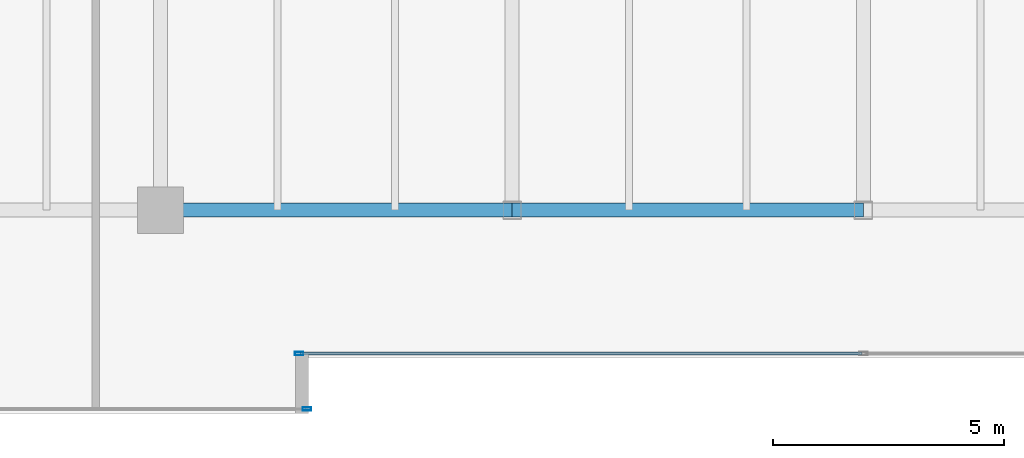
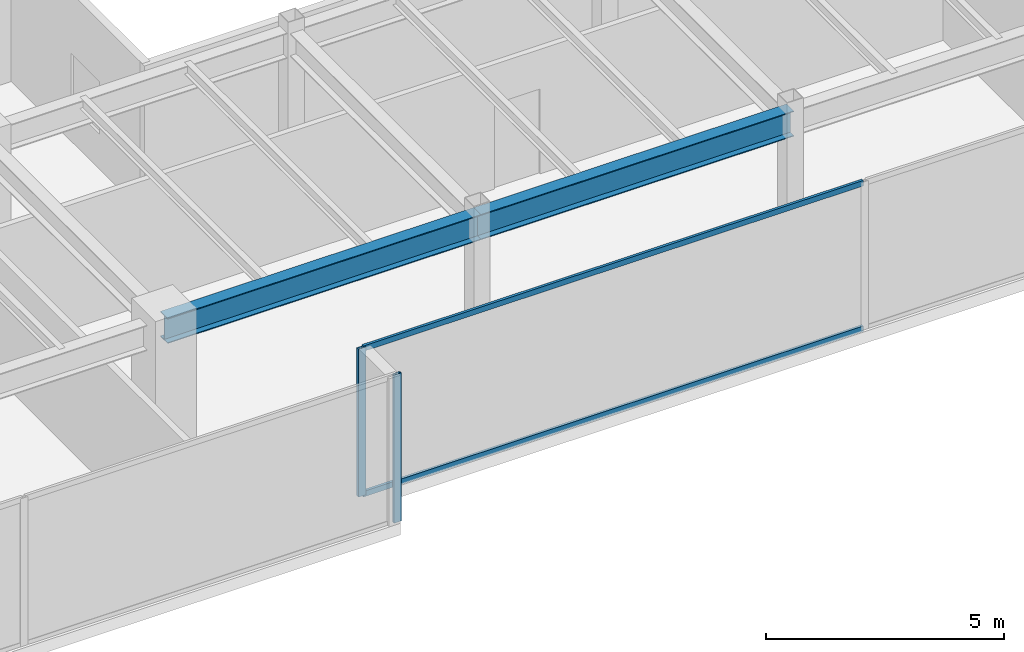
# One storey, part 7 of 33: 4 members, 2 beams, 2 elements without a shape of their own.
"""IFC4 building model written with IfcOpenShell, lengths in metres."""

import ifcopenshell
import ifcopenshell.guid

model = None  # the IFC model being written
_history = None  # IfcOwnerHistory: only IFC2X3 demands one
_inside = {}  # id of a spatial element -> (the spatial element, [elements in it])
_under = {}  # id of a project, library or spatial element -> (it, [spatial elements below it])
_declared = {}  # id of a project -> (the project, [libraries it declares])
_typed = {}  # id of a type object -> (the type object, [elements of that type])
_made_of = {}  # id of a material, layer set ... -> (it, [elements and type objects made of it])


def new_model(schema):
    """Start an empty IFC model of exactly this schema.

    Asked for "IFC4X3", IfcOpenShell would pick the latest addendum, in which some entities
    have other attributes; the version numbers below select the first issue.
    IFC2X3 requires an IfcOwnerHistory on every rooted entity: one is made here for all.
    """
    global model, _history
    if schema == "IFC4X3":
        model = ifcopenshell.file(schema_version=(4, 3, 0, 0))
    else:
        model = ifcopenshell.file(schema=schema)
    _inside.clear()
    _under.clear()
    _declared.clear()
    _typed.clear()
    _made_of.clear()
    _history = None
    if model.schema == "IFC2X3":
        org = make("IfcOrganization", Name="unknown")
        user = make(
            "IfcPersonAndOrganization",
            ThePerson=make("IfcPerson", FamilyName="unknown"),
            TheOrganization=org,
        )
        app = make(
            "IfcApplication",
            ApplicationDeveloper=org,
            Version="unknown",
            ApplicationFullName="unknown",
            ApplicationIdentifier="unknown",
        )
        _history = make(
            "IfcOwnerHistory",
            OwningUser=user,
            OwningApplication=app,
            ChangeAction="ADDED",
            CreationDate=0,
        )
    return model


def make(cls, **values):
    """One entity of the class cls with the attributes given. An attribute that is None is left unset."""
    return model.create_entity(
        cls, **{name: value for name, value in values.items() if value is not None}
    )


def rooted(cls, **values):
    """An entity with a GlobalId (a new one), such as an element, a storey or a relation."""
    return make(cls, GlobalId=ifcopenshell.guid.new(), OwnerHistory=_history, **values)


def si_unit(unit_type, name, prefix=None):
    """IfcSIUnit, for example si_unit("LENGTHUNIT", "METRE", prefix="MILLI")."""
    return make("IfcSIUnit", UnitType=unit_type, Prefix=prefix, Name=name)


def assignment(units):
    """IfcUnitAssignment: the units of a project."""
    return None if units is None else make("IfcUnitAssignment", Units=units)


def point(xyz):
    """IfcCartesianPoint."""
    return None if xyz is None else make("IfcCartesianPoint", Coordinates=xyz)


def direction(xyz):
    """IfcDirection."""
    return None if xyz is None else make("IfcDirection", DirectionRatios=xyz)


def frame(location, z_axis=None, x_axis=None):
    """IfcAxis2Placement3D, a coordinate frame: its origin and axes. An axis left out is left unset."""
    return make(
        "IfcAxis2Placement3D",
        Location=point(location),
        Axis=direction(z_axis),
        RefDirection=direction(x_axis),
    )


def frame_2d(location, x_axis=None):
    """IfcAxis2Placement2D, a coordinate frame in the plane: its origin and x axis."""
    return make(
        "IfcAxis2Placement2D", Location=point(location), RefDirection=direction(x_axis)
    )


def origin():
    """The frame at (0, 0, 0) with its axes left unset."""
    return frame((0.0, 0.0, 0.0))


def origin_2d():
    """The frame at (0, 0) in the plane with its x axis left unset."""
    return frame_2d((0.0, 0.0))


def place(relative_to, where):
    """IfcLocalPlacement: puts the frame where relative to a parent placement (None: the world)."""
    return make(
        "IfcLocalPlacement", PlacementRelTo=relative_to, RelativePlacement=where
    )


def context(
    kind, dimensions, precision=None, world=None, true_north=None, identifier=None
):
    """IfcGeometricRepresentationContext, for example the 3D "Model" context."""
    return make(
        "IfcGeometricRepresentationContext",
        ContextIdentifier=identifier,
        ContextType=kind,
        CoordinateSpaceDimension=dimensions,
        Precision=precision,
        WorldCoordinateSystem=world,
        TrueNorth=true_north,
    )


def subcontext(parent, identifier, kind, view, scale=None):
    """IfcGeometricRepresentationSubContext, for example "Body" below "Model"."""
    return make(
        "IfcGeometricRepresentationSubContext",
        ContextIdentifier=identifier,
        ContextType=kind,
        ParentContext=parent,
        TargetScale=scale,
        TargetView=view,
    )


def project(units=None, contexts=None):
    """IfcProject with its units and contexts."""
    return rooted(
        "IfcProject",
        Name="project",
        RepresentationContexts=contexts,
        UnitsInContext=assignment(units),
    )


def spatial(cls, under=None, at=None, **own):
    """A site, building, storey or space (cls), placed at a placement, below another one or the project."""
    s = rooted(cls, ObjectPlacement=at, **own)
    if under is not None:
        _under.setdefault(under.id(), (under, []))[1].append(s)
    return s


def profile(cls, at=None, kind="AREA", **sizes):
    """A parametric profile (cls). Its sizes go by their IFC names, for example OverallWidth=200.0."""
    return make(cls, ProfileType=kind, Position=at, **sizes)


def hollow_rectangle(**sizes):
    """IfcRectangleHollowProfileDef."""
    return profile("IfcRectangleHollowProfileDef", **sizes)


def i_section(**sizes):
    """IfcIShapeProfileDef."""
    return profile("IfcIShapeProfileDef", **sizes)


def extrude(swept, where, along, depth):
    """IfcExtrudedAreaSolid: the profile swept, set in the frame where, extruded along a direction by depth."""
    return make(
        "IfcExtrudedAreaSolid",
        SweptArea=swept,
        Position=where,
        ExtrudedDirection=direction(along),
        Depth=depth,
    )


def shape(context_of_items, identifier, shape_type, items):
    """IfcShapeRepresentation: the items that make up one representation, for example the "Body"."""
    return make(
        "IfcShapeRepresentation",
        ContextOfItems=context_of_items,
        RepresentationIdentifier=identifier,
        RepresentationType=shape_type,
        Items=items,
    )


def source(mapping_origin, context_of_items, identifier, shape_type, items):
    """IfcRepresentationMap: a shape defined once, which mapped items show again and again."""
    return make(
        "IfcRepresentationMap",
        MappingOrigin=mapping_origin,
        MappedRepresentation=shape(context_of_items, identifier, shape_type, items),
    )


def transform(
    local_origin,
    x_axis=None,
    y_axis=None,
    z_axis=None,
    scale=None,
    scale2=None,
    scale3=None,
    uniform=True,
):
    """IfcCartesianTransformationOperator3D, or its non-uniform kind. x_axis, y_axis, z_axis: its Axis1, 2, 3."""
    if uniform:
        return make(
            "IfcCartesianTransformationOperator3D",
            Axis1=direction(x_axis),
            Axis2=direction(y_axis),
            LocalOrigin=point(local_origin),
            Scale=scale,
            Axis3=direction(z_axis),
        )
    return make(
        "IfcCartesianTransformationOperator3DnonUniform",
        Axis1=direction(x_axis),
        Axis2=direction(y_axis),
        LocalOrigin=point(local_origin),
        Scale=scale,
        Axis3=direction(z_axis),
        Scale2=scale2,
        Scale3=scale3,
    )


def mapped(mapping_source, mapping_target):
    """IfcMappedItem: shows the shape of a source again, moved by a transform."""
    return make(
        "IfcMappedItem", MappingSource=mapping_source, MappingTarget=mapping_target
    )


def material(Name=None, Category=None):
    """IfcMaterial."""
    return make("IfcMaterial", Name=Name, Category=Category)


def layer(
    of_material, thickness, ventilated=None, Name=None, Category=None, Priority=None
):
    """IfcMaterialLayer: one layer of a wall or slab, of a material (None: an air gap)."""
    return make(
        "IfcMaterialLayer",
        Material=of_material,
        LayerThickness=thickness,
        IsVentilated=ventilated,
        Name=Name,
        Category=Category,
        Priority=Priority,
    )


def layer_set(layers, Name=None):
    """IfcMaterialLayerSet."""
    return make("IfcMaterialLayerSet", MaterialLayers=layers, LayerSetName=Name)


def material_profile(
    of_material, cross_section, Name=None, Category=None, Priority=None
):
    """IfcMaterialProfile: a cross section and its material."""
    return make(
        "IfcMaterialProfile",
        Name=Name,
        Material=of_material,
        Profile=cross_section,
        Priority=Priority,
        Category=Category,
    )


def profile_set(profiles, Name=None, composite=None):
    """IfcMaterialProfileSet."""
    return make(
        "IfcMaterialProfileSet",
        Name=Name,
        MaterialProfiles=profiles,
        CompositeProfile=composite,
    )


def made_of(thing, what):
    """Note that an element or type object is made of a material, layer set ...; save() writes the relation."""
    if what is not None:
        _made_of.setdefault(what.id(), (what, []))[1].append(thing)
    return thing


def type_object(cls, material=None, **own):
    """A type object (cls), such as IfcWallType, which elements share."""
    return made_of(rooted(cls, **own), material)


def type_shapes(of_type, sources):
    """Give a type object the sources (RepresentationMaps) that its elements show as mapped items."""
    of_type.RepresentationMaps = sources


def element(
    cls,
    number,
    at=None,
    inside=None,
    cuts=None,
    type_object=None,
    material=None,
    context=None,
    identifier="Body",
    shape_type=None,
    held_by="IfcProductDefinitionShape",
    body=None,
    shapes=None,
    **own,
):
    """One element of the class cls, such as IfcWall. Its Tag is "e" and its number.

    at: its placement. inside: the storey or other place that contains it. cuts: it is an
    opening in that element (IfcRelVoidsElement). A single representation is given by context,
    identifier, shape_type and body (its items); several are given by shapes. held_by: the class
    of the entity that holds the representations. save() writes the other relations.
    """
    e = rooted(cls, Tag="e%d" % number, ObjectPlacement=at, **own)
    if body is not None:
        shapes = [shape(context, identifier, shape_type, body)]
    if shapes is not None:
        e.Representation = make(held_by, Representations=shapes)
    if inside is not None:
        _inside.setdefault(inside.id(), (inside, []))[1].append(e)
    if cuts is not None:
        rooted(
            "IfcRelVoidsElement", RelatingBuildingElement=cuts, RelatedOpeningElement=e
        )
    if type_object is not None:
        _typed.setdefault(type_object.id(), (type_object, []))[1].append(e)
    return made_of(e, material)


def aggregate(whole, parts):
    """IfcRelAggregates: a whole, such as a stair, and the parts it consists of."""
    return rooted("IfcRelAggregates", RelatingObject=whole, RelatedObjects=parts)


def save(model, path):
    """Write the relations noted so far, then the file.

    IfcRelAggregates (storeys below a building ...), IfcRelContainedInSpatialStructure (elements
    in a storey), IfcRelDefinesByType, IfcRelAssociatesMaterial and IfcRelDeclares: one each for
    every whole, place, type object, material and project.
    """
    for whole, parts in _under.values():
        aggregate(whole, parts)
    for where, things in _inside.values():
        rooted(
            "IfcRelContainedInSpatialStructure",
            RelatedElements=things,
            RelatingStructure=where,
        )
    for kind, things in _typed.values():
        rooted("IfcRelDefinesByType", RelatedObjects=things, RelatingType=kind)
    for what, things in _made_of.values():
        rooted("IfcRelAssociatesMaterial", RelatedObjects=things, RelatingMaterial=what)
    for by, libraries in _declared.values():
        rooted("IfcRelDeclares", RelatingContext=by, RelatedDefinitions=libraries)
    model.write(path)


model = new_model("IFC4")

# Units and contexts
model_context = context("Model", 3, precision=1e-05, world=origin(), true_north=direction((0.0, 1.0)))
body_context = subcontext(model_context, "Body", "Model", "MODEL_VIEW")
ifc_project = project(units=[si_unit("LENGTHUNIT", "METRE"), si_unit("AREAUNIT", "SQUARE_METRE"), si_unit("VOLUMEUNIT", "CUBIC_METRE"), si_unit("PLANEANGLEUNIT", "RADIAN"), si_unit("MASSUNIT", "GRAM", prefix="KILO")], contexts=[model_context])

# Site, building, storey
site_placement = place(None, origin())
site = spatial("IfcSite", under=ifc_project, at=site_placement, CompositionType="ELEMENT")
building_placement = place(site_placement, origin())
building = spatial("IfcBuilding", under=site, at=building_placement, Name="Haelvirn Gate Laboratories", CompositionType="ELEMENT")
storey_placement = place(building_placement, frame((0.0, 0.0, 230.10009765625)))
storey = spatial("IfcBuildingStorey", under=building, at=storey_placement, Name="L55", CompositionType="ELEMENT", Elevation=230.10009765625)

# Beams
ifc_material_1 = material(Name="Steel SM355", Category="steel")
ifc_material_profile_1 = material_profile(ifc_material_1, i_section(OverallWidth=0.300048828125, OverallDepth=0.64990234375, WebThickness=0.012939453125, FlangeThickness=0.02197265625, at=origin_2d()), Name="H-650x300x13x22")
ifc_profile_set_1 = profile_set([ifc_material_profile_1], Name="Steel SM355")
beam_type = type_object("IfcBeamType", Name="BM-G-650", PredefinedType="BEAM", material=ifc_profile_set_1)
shared_shape_1 = source(origin(), body_context, "Body", "SweptSolid", [
    extrude(i_section(OverallWidth=0.300048828125, OverallDepth=0.64990234375, WebThickness=0.012939453125, FlangeThickness=0.02197265625, at=origin_2d()), origin(), (0.0, 0.0, 1.0), 7.60009765625),
])
beam_1_placement = place(storey_placement, frame((22.199951171875, 7.0, 3.474853515625), z_axis=(1.0, 0.0, 0.0), x_axis=(0.0, 1.0, 0.0)))
element("IfcBeam", 1, at=beam_1_placement, inside=storey, type_object=beam_type, Name="L55 Primary Girder Y7.0 (22.2-29.8)", PredefinedType="BEAM", context=body_context, shape_type="MappedRepresentation", body=[
    mapped(shared_shape_1, transform((0.0, 0.0, 0.0), scale=1.0)),
])
shared_shape_2 = source(origin(), body_context, "Body", "SweptSolid", [
    extrude(i_section(OverallWidth=0.300048828125, OverallDepth=0.64990234375, WebThickness=0.012939453125, FlangeThickness=0.02197265625, at=origin_2d()), origin(), (0.0, 0.0, 1.0), 7.599853515625),
])
type_shapes(beam_type, [shared_shape_1, shared_shape_2])
beam_2_placement = place(storey_placement, frame((29.800048828125, 7.0, 3.474853515625), z_axis=(1.0, 0.0, 0.0), x_axis=(0.0, 1.0, 0.0)))
element("IfcBeam", 2, at=beam_2_placement, inside=storey, type_object=beam_type, Name="L55 Primary Girder Y7.0 (29.8-37.4)", PredefinedType="BEAM", context=body_context, shape_type="MappedRepresentation", body=[
    mapped(shared_shape_2, transform((0.0, 0.0, 0.0), scale=1.0)),
])

# Curtain wall, members
ifc_material_2 = material(Name="Anodised bronze unitised aluminium & triple low-E glass", Category="aluminium")
ifc_layer = layer(ifc_material_2, 0.176025390625, Name="CW-SYS-4")
ifc_layer_set = layer_set([ifc_layer], Name="Anodised bronze unitised aluminium & triple low-E glass")
curtain_wall_type = type_object("IfcCurtainWallType", Name="CW-SYS-4", PredefinedType="NOTDEFINED", material=ifc_layer_set)
curtain_wall_1_placement = place(storey_placement, origin())
curtain_wall_1 = element("IfcCurtainWall", 3, at=curtain_wall_1_placement, inside=storey, type_object=curtain_wall_type, Name="L55 Unitised Curtain Wall CW-L55-P0-E02-1", PredefinedType="NOTDEFINED")
ifc_material_3 = material(Name="Extruded aluminium 6063-T6 (anodised bronze)", Category="aluminium")
ifc_material_profile_2 = material_profile(ifc_material_3, hollow_rectangle(XDim=0.06494140625, YDim=0.139892578125, WallThickness=0.00390625, at=origin_2d()), Name="CWT-140x65x4")
ifc_profile_set_2 = profile_set([ifc_material_profile_2], Name="Extruded aluminium 6063-T6 (anodised bronze)")
member_type_1 = type_object("IfcMemberType", Name="CWT-T140", PredefinedType="USERDEFINED", material=ifc_profile_set_2)
shared_shape_3 = source(origin(), body_context, "Body", "SweptSolid", [
    extrude(hollow_rectangle(XDim=0.06494140625, YDim=0.139892578125, WallThickness=0.00390625, at=origin_2d()), origin(), (0.0, 0.0, 1.0), 12.135009765625),
])
type_shapes(member_type_1, [shared_shape_3])
member_1_placement = place(storey_placement, frame((25.22998046875, 3.89990234375, 0.032470703125), z_axis=(1.0, 0.0, 0.0), x_axis=(0.0, 1.0, 0.0)))
member_1 = element("IfcMember", 4, at=member_1_placement, type_object=member_type_1, Name="CW4 transom 1.1", ObjectType="TRANSOM", PredefinedType="USERDEFINED", context=body_context, shape_type="MappedRepresentation", body=[
    mapped(shared_shape_3, transform((0.0, 0.0, 0.0), scale=1.0)),
])
member_2_placement = place(storey_placement, frame((25.22998046875, 3.89990234375, 3.767333984375), z_axis=(1.0, 0.0, 0.0), x_axis=(0.0, 1.0, 0.0)))
member_2 = element("IfcMember", 5, at=member_2_placement, type_object=member_type_1, Name="CW4 transom 1.2", ObjectType="TRANSOM", PredefinedType="USERDEFINED", context=body_context, shape_type="MappedRepresentation", body=[
    mapped(shared_shape_3, transform((0.0, 0.0, 0.0), scale=1.0)),
])

# Curtain wall, member
curtain_wall_2_placement = place(storey_placement, origin())
curtain_wall_2 = element("IfcCurtainWall", 6, at=curtain_wall_2_placement, inside=storey, type_object=curtain_wall_type, Name="L55 Unitised Curtain Wall CW-L55-P0-E00-1", PredefinedType="NOTDEFINED")
ifc_material_profile_3 = material_profile(ifc_material_3, hollow_rectangle(XDim=0.070068359375, YDim=0.179931640625, WallThickness=0.0048828125, at=origin_2d()), Name="CWM-180x70x5")
ifc_profile_set_3 = profile_set([ifc_material_profile_3], Name="Extruded aluminium 6063-T6 (anodised bronze)")
member_type_2 = type_object("IfcMemberType", Name="CWM-T180", PredefinedType="MULLION", material=ifc_profile_set_3)
shared_shape_4 = source(origin(), body_context, "Body", "SweptSolid", [
    extrude(hollow_rectangle(XDim=0.070068359375, YDim=0.179931640625, WallThickness=0.0048828125, at=origin_2d()), origin(), (0.0, 0.0, 1.0), 3.7998046875),
])
type_shapes(member_type_2, [shared_shape_4])
member_3_placement = place(storey_placement, frame((25.364990234375, 2.699951171875, 0.0), z_axis=(0.0, 0.0, 1.0), x_axis=(0.0, 1.0, 0.0)))
member_3 = element("IfcMember", 7, at=member_3_placement, type_object=member_type_2, Name="CW4 mullion 3", PredefinedType="MULLION", context=body_context, shape_type="MappedRepresentation", body=[
    mapped(shared_shape_4, transform((0.0, 0.0, 0.0), scale=1.0)),
])
aggregate(curtain_wall_2, [member_3])

# Member
member_4_placement = place(storey_placement, frame((25.195068359375, 3.89990234375, 0.0), z_axis=(0.0, 0.0, 1.0), x_axis=(0.0, 1.0, 0.0)))
member_4 = element("IfcMember", 8, at=member_4_placement, type_object=member_type_2, Name="CW4 mullion 1", PredefinedType="MULLION", context=body_context, shape_type="MappedRepresentation", body=[
    mapped(shared_shape_4, transform((0.0, 0.0, 0.0), scale=1.0)),
])

aggregate(curtain_wall_1, [member_4, member_1, member_2])

save(model, "model.ifc")
